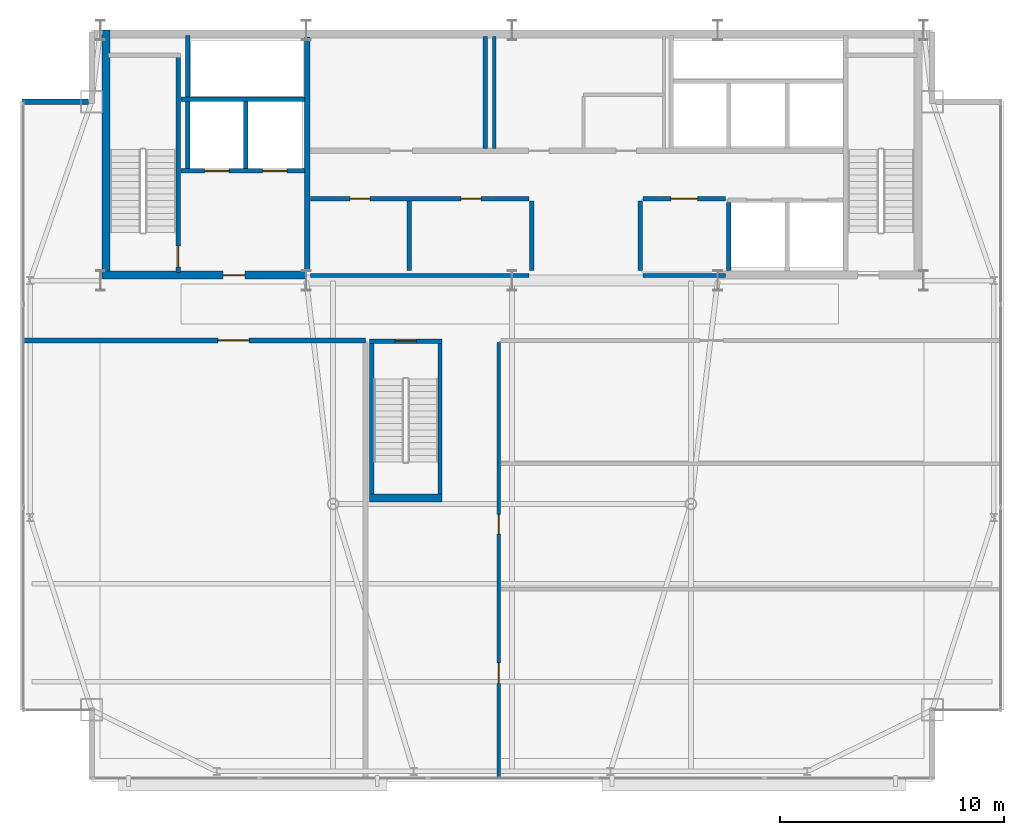
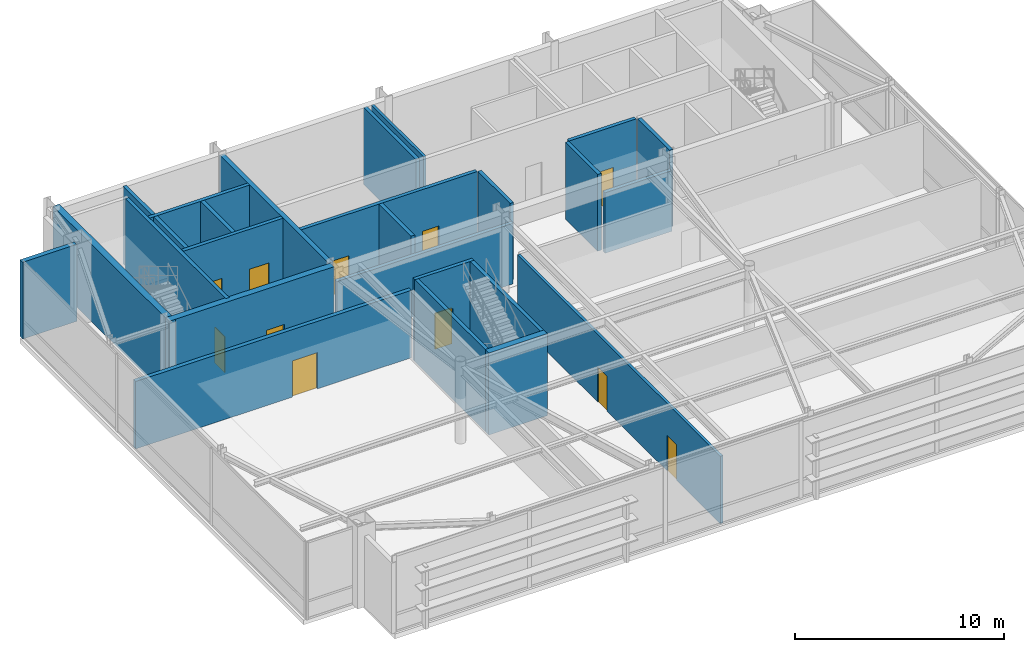
# One storey, part 18 of 21: 25 walls, 11 doors, 11 openings.
"""IFC4 building model written with IfcOpenShell, lengths in metres."""

import ifcopenshell
import ifcopenshell.guid

model = None  # the IFC model being written
_history = None  # IfcOwnerHistory: only IFC2X3 demands one
_inside = {}  # id of a spatial element -> (the spatial element, [elements in it])
_under = {}  # id of a project, library or spatial element -> (it, [spatial elements below it])
_declared = {}  # id of a project -> (the project, [libraries it declares])
_typed = {}  # id of a type object -> (the type object, [elements of that type])
_made_of = {}  # id of a material, layer set ... -> (it, [elements and type objects made of it])


def new_model(schema):
    """Start an empty IFC model of exactly this schema.

    Asked for "IFC4X3", IfcOpenShell would pick the latest addendum, in which some entities
    have other attributes; the version numbers below select the first issue.
    IFC2X3 requires an IfcOwnerHistory on every rooted entity: one is made here for all.
    """
    global model, _history
    if schema == "IFC4X3":
        model = ifcopenshell.file(schema_version=(4, 3, 0, 0))
    else:
        model = ifcopenshell.file(schema=schema)
    _inside.clear()
    _under.clear()
    _declared.clear()
    _typed.clear()
    _made_of.clear()
    _history = None
    if model.schema == "IFC2X3":
        org = make("IfcOrganization", Name="unknown")
        user = make(
            "IfcPersonAndOrganization",
            ThePerson=make("IfcPerson", FamilyName="unknown"),
            TheOrganization=org,
        )
        app = make(
            "IfcApplication",
            ApplicationDeveloper=org,
            Version="unknown",
            ApplicationFullName="unknown",
            ApplicationIdentifier="unknown",
        )
        _history = make(
            "IfcOwnerHistory",
            OwningUser=user,
            OwningApplication=app,
            ChangeAction="ADDED",
            CreationDate=0,
        )
    return model


def make(cls, **values):
    """One entity of the class cls with the attributes given. An attribute that is None is left unset."""
    return model.create_entity(
        cls, **{name: value for name, value in values.items() if value is not None}
    )


def rooted(cls, **values):
    """An entity with a GlobalId (a new one), such as an element, a storey or a relation."""
    return make(cls, GlobalId=ifcopenshell.guid.new(), OwnerHistory=_history, **values)


def si_unit(unit_type, name, prefix=None):
    """IfcSIUnit, for example si_unit("LENGTHUNIT", "METRE", prefix="MILLI")."""
    return make("IfcSIUnit", UnitType=unit_type, Prefix=prefix, Name=name)


def assignment(units):
    """IfcUnitAssignment: the units of a project."""
    return None if units is None else make("IfcUnitAssignment", Units=units)


def point(xyz):
    """IfcCartesianPoint."""
    return None if xyz is None else make("IfcCartesianPoint", Coordinates=xyz)


def direction(xyz):
    """IfcDirection."""
    return None if xyz is None else make("IfcDirection", DirectionRatios=xyz)


def frame(location, z_axis=None, x_axis=None):
    """IfcAxis2Placement3D, a coordinate frame: its origin and axes. An axis left out is left unset."""
    return make(
        "IfcAxis2Placement3D",
        Location=point(location),
        Axis=direction(z_axis),
        RefDirection=direction(x_axis),
    )


def frame_2d(location, x_axis=None):
    """IfcAxis2Placement2D, a coordinate frame in the plane: its origin and x axis."""
    return make(
        "IfcAxis2Placement2D", Location=point(location), RefDirection=direction(x_axis)
    )


def origin():
    """The frame at (0, 0, 0) with its axes left unset."""
    return frame((0.0, 0.0, 0.0))


def place(relative_to, where):
    """IfcLocalPlacement: puts the frame where relative to a parent placement (None: the world)."""
    return make(
        "IfcLocalPlacement", PlacementRelTo=relative_to, RelativePlacement=where
    )


def context(
    kind, dimensions, precision=None, world=None, true_north=None, identifier=None
):
    """IfcGeometricRepresentationContext, for example the 3D "Model" context."""
    return make(
        "IfcGeometricRepresentationContext",
        ContextIdentifier=identifier,
        ContextType=kind,
        CoordinateSpaceDimension=dimensions,
        Precision=precision,
        WorldCoordinateSystem=world,
        TrueNorth=true_north,
    )


def subcontext(parent, identifier, kind, view, scale=None):
    """IfcGeometricRepresentationSubContext, for example "Body" below "Model"."""
    return make(
        "IfcGeometricRepresentationSubContext",
        ContextIdentifier=identifier,
        ContextType=kind,
        ParentContext=parent,
        TargetScale=scale,
        TargetView=view,
    )


def project(units=None, contexts=None):
    """IfcProject with its units and contexts."""
    return rooted(
        "IfcProject",
        Name="project",
        RepresentationContexts=contexts,
        UnitsInContext=assignment(units),
    )


def spatial(cls, under=None, at=None, **own):
    """A site, building, storey or space (cls), placed at a placement, below another one or the project."""
    s = rooted(cls, ObjectPlacement=at, **own)
    if under is not None:
        _under.setdefault(under.id(), (under, []))[1].append(s)
    return s


def profile(cls, at=None, kind="AREA", **sizes):
    """A parametric profile (cls). Its sizes go by their IFC names, for example OverallWidth=200.0."""
    return make(cls, ProfileType=kind, Position=at, **sizes)


def rectangle(**sizes):
    """IfcRectangleProfileDef."""
    return profile("IfcRectangleProfileDef", **sizes)


def extrude(swept, where, along, depth):
    """IfcExtrudedAreaSolid: the profile swept, set in the frame where, extruded along a direction by depth."""
    return make(
        "IfcExtrudedAreaSolid",
        SweptArea=swept,
        Position=where,
        ExtrudedDirection=direction(along),
        Depth=depth,
    )


def shape(context_of_items, identifier, shape_type, items):
    """IfcShapeRepresentation: the items that make up one representation, for example the "Body"."""
    return make(
        "IfcShapeRepresentation",
        ContextOfItems=context_of_items,
        RepresentationIdentifier=identifier,
        RepresentationType=shape_type,
        Items=items,
    )


def source(mapping_origin, context_of_items, identifier, shape_type, items):
    """IfcRepresentationMap: a shape defined once, which mapped items show again and again."""
    return make(
        "IfcRepresentationMap",
        MappingOrigin=mapping_origin,
        MappedRepresentation=shape(context_of_items, identifier, shape_type, items),
    )


def transform(
    local_origin,
    x_axis=None,
    y_axis=None,
    z_axis=None,
    scale=None,
    scale2=None,
    scale3=None,
    uniform=True,
):
    """IfcCartesianTransformationOperator3D, or its non-uniform kind. x_axis, y_axis, z_axis: its Axis1, 2, 3."""
    if uniform:
        return make(
            "IfcCartesianTransformationOperator3D",
            Axis1=direction(x_axis),
            Axis2=direction(y_axis),
            LocalOrigin=point(local_origin),
            Scale=scale,
            Axis3=direction(z_axis),
        )
    return make(
        "IfcCartesianTransformationOperator3DnonUniform",
        Axis1=direction(x_axis),
        Axis2=direction(y_axis),
        LocalOrigin=point(local_origin),
        Scale=scale,
        Axis3=direction(z_axis),
        Scale2=scale2,
        Scale3=scale3,
    )


def mapped(mapping_source, mapping_target):
    """IfcMappedItem: shows the shape of a source again, moved by a transform."""
    return make(
        "IfcMappedItem", MappingSource=mapping_source, MappingTarget=mapping_target
    )


def material(Name=None, Category=None):
    """IfcMaterial."""
    return make("IfcMaterial", Name=Name, Category=Category)


def layer(
    of_material, thickness, ventilated=None, Name=None, Category=None, Priority=None
):
    """IfcMaterialLayer: one layer of a wall or slab, of a material (None: an air gap)."""
    return make(
        "IfcMaterialLayer",
        Material=of_material,
        LayerThickness=thickness,
        IsVentilated=ventilated,
        Name=Name,
        Category=Category,
        Priority=Priority,
    )


def layer_set(layers, Name=None):
    """IfcMaterialLayerSet."""
    return make("IfcMaterialLayerSet", MaterialLayers=layers, LayerSetName=Name)


def made_of(thing, what):
    """Note that an element or type object is made of a material, layer set ...; save() writes the relation."""
    if what is not None:
        _made_of.setdefault(what.id(), (what, []))[1].append(thing)
    return thing


def type_object(cls, material=None, **own):
    """A type object (cls), such as IfcWallType, which elements share."""
    return made_of(rooted(cls, **own), material)


def type_shapes(of_type, sources):
    """Give a type object the sources (RepresentationMaps) that its elements show as mapped items."""
    of_type.RepresentationMaps = sources


def element(
    cls,
    number,
    at=None,
    inside=None,
    cuts=None,
    type_object=None,
    material=None,
    context=None,
    identifier="Body",
    shape_type=None,
    held_by="IfcProductDefinitionShape",
    body=None,
    shapes=None,
    **own,
):
    """One element of the class cls, such as IfcWall. Its Tag is "e" and its number.

    at: its placement. inside: the storey or other place that contains it. cuts: it is an
    opening in that element (IfcRelVoidsElement). A single representation is given by context,
    identifier, shape_type and body (its items); several are given by shapes. held_by: the class
    of the entity that holds the representations. save() writes the other relations.
    """
    e = rooted(cls, Tag="e%d" % number, ObjectPlacement=at, **own)
    if body is not None:
        shapes = [shape(context, identifier, shape_type, body)]
    if shapes is not None:
        e.Representation = make(held_by, Representations=shapes)
    if inside is not None:
        _inside.setdefault(inside.id(), (inside, []))[1].append(e)
    if cuts is not None:
        rooted(
            "IfcRelVoidsElement", RelatingBuildingElement=cuts, RelatedOpeningElement=e
        )
    if type_object is not None:
        _typed.setdefault(type_object.id(), (type_object, []))[1].append(e)
    return made_of(e, material)


def fill(opening, filler):
    """IfcRelFillsElement: the door or window that sits in an opening."""
    return rooted(
        "IfcRelFillsElement",
        RelatingOpeningElement=opening,
        RelatedBuildingElement=filler,
    )


def aggregate(whole, parts):
    """IfcRelAggregates: a whole, such as a stair, and the parts it consists of."""
    return rooted("IfcRelAggregates", RelatingObject=whole, RelatedObjects=parts)


def save(model, path):
    """Write the relations noted so far, then the file.

    IfcRelAggregates (storeys below a building ...), IfcRelContainedInSpatialStructure (elements
    in a storey), IfcRelDefinesByType, IfcRelAssociatesMaterial and IfcRelDeclares: one each for
    every whole, place, type object, material and project.
    """
    for whole, parts in _under.values():
        aggregate(whole, parts)
    for where, things in _inside.values():
        rooted(
            "IfcRelContainedInSpatialStructure",
            RelatedElements=things,
            RelatingStructure=where,
        )
    for kind, things in _typed.values():
        rooted("IfcRelDefinesByType", RelatedObjects=things, RelatingType=kind)
    for what, things in _made_of.values():
        rooted("IfcRelAssociatesMaterial", RelatedObjects=things, RelatingMaterial=what)
    for by, libraries in _declared.values():
        rooted("IfcRelDeclares", RelatingContext=by, RelatedDefinitions=libraries)
    model.write(path)


model = new_model("IFC4")

# Units and contexts
model_context = context("Model", 3, precision=1e-05, world=origin(), true_north=direction((0.0, 1.0)))
body_context = subcontext(model_context, "Body", "Model", "MODEL_VIEW")
ifc_project = project(units=[si_unit("LENGTHUNIT", "METRE"), si_unit("AREAUNIT", "SQUARE_METRE"), si_unit("VOLUMEUNIT", "CUBIC_METRE"), si_unit("PLANEANGLEUNIT", "RADIAN"), si_unit("MASSUNIT", "GRAM", prefix="KILO")], contexts=[model_context])

# Site, building, storey
site_placement = place(None, origin())
site = spatial("IfcSite", under=ifc_project, at=site_placement, CompositionType="ELEMENT")
building_placement = place(site_placement, origin())
building = spatial("IfcBuilding", under=site, at=building_placement, Name="Varnel Quay Broadcast Tower", CompositionType="ELEMENT")
storey_placement = place(building_placement, frame((0.0, 0.0, 300.199951171875)))
storey = spatial("IfcBuildingStorey", under=building, at=storey_placement, Name="L75", CompositionType="ELEMENT", Elevation=300.199951171875)

# Wall, opening, door
ifc_material_1 = material(Name="Concrete CSA A23.3 C50/60", Category="concrete")
ifc_layer_1 = layer(ifc_material_1, 0.199951171875, Name="Concrete CSA A23.3 C50/60")
ifc_layer_set_1 = layer_set([ifc_layer_1], Name="Concrete CSA A23.3 C50/60")
wall_type_1 = type_object("IfcWallType", Name="Wall_CoreShaftShear200", PredefinedType="SHEAR", material=ifc_layer_set_1)
wall_1_placement = place(storey_placement, frame((19.080078125, 35.949951171875, 0.0), z_axis=(0.0, 0.0, 1.0), x_axis=(0.0, 1.0, 0.0)))
wall_1 = element("IfcWall", 1, at=wall_1_placement, inside=storey, type_object=wall_type_1, Name="L75 Stair 1 East Structural Wall", PredefinedType="SHEAR", context=body_context, shape_type="SweptSolid", body=[
    extrude(rectangle(XDim=9.650146484375, YDim=0.199951171875, at=frame_2d((4.8251953125, 0.0))), origin(), (0.0, 0.0, 1.0), 4.52001953125),
])
opening_1_placement = place(wall_1_placement, frame((0.25, 0.0, 0.0)))
opening_1 = element("IfcOpeningElement", 2, at=opening_1_placement, cuts=wall_1, Name="Opening D-L75-S1", PredefinedType="OPENING", context=body_context, shape_type="SweptSolid", body=[
    extrude(rectangle(XDim=0.949951171875, YDim=2.10009765625, at=frame_2d((0.47509765625, 1.050048828125))), frame((0.0, 0.10986328125, 0.0), z_axis=(0.0, -1.0, 0.0), x_axis=(1.0, 0.0, 0.0)), (0.0, 0.0, 1.0), 0.219970703125),
])
ifc_material_2 = material(Name="Insulated Fire-Rated Hollow Steel Door", Category="steel")
door_type_1 = type_object("IfcDoorType", Name="Door_FireStair950", OperationType="NOTDEFINED", PredefinedType="DOOR", material=ifc_material_2)
shared_shape_1 = source(origin(), body_context, "Body", "SweptSolid", [
    extrude(rectangle(XDim=0.949951171875, YDim=2.10009765625, at=frame_2d((0.47509765625, 1.050048828125))), frame((0.0, 0.02490234375, 0.0), z_axis=(0.0, -1.0, 0.0), x_axis=(1.0, 0.0, 0.0)), (0.0, 0.0, 1.0), 0.050048828125),
])
type_shapes(door_type_1, [shared_shape_1])
door_1_placement = place(opening_1_placement, origin())
door_1 = element("IfcDoor", 3, at=door_1_placement, inside=storey, type_object=door_type_1, Name="L75 Stair 1 Fire Door", OperationType="SINGLE_SWING_RIGHT", OverallHeight=2.10009765625, OverallWidth=0.949951171875, PredefinedType="DOOR", context=body_context, shape_type="MappedRepresentation", body=[
    mapped(shared_shape_1, transform((0.0, 0.0, 0.0), x_axis=(1.0, 0.0, 0.0), y_axis=(0.0, 1.0, 0.0), z_axis=(0.0, 0.0, 1.0), scale=1.0)),
])
fill(opening_1, door_1)

# Wall, openings, doors
wall_2_placement = place(storey_placement, frame((19.199951171875, 40.5, 0.0), z_axis=(0.0, 0.0, 1.0), x_axis=(1.0, 0.0, 0.0)))
wall_2 = element("IfcWall", 4, at=wall_2_placement, inside=storey, type_object=wall_type_1, Name="L75 Firefighter Lift Shaft Front Wall", PredefinedType="SHEAR", context=body_context, shape_type="SweptSolid", body=[
    extrude(rectangle(XDim=5.52001953125, YDim=0.199951171875, at=frame_2d((2.760009765625, 0.0))), origin(), (0.0, 0.0, 1.0), 4.52001953125),
])
opening_2_placement = place(wall_2_placement, frame((1.050048828125, 0.0, 0.0)))
opening_2 = element("IfcOpeningElement", 5, at=opening_2_placement, cuts=wall_2, Name="Opening LD-L75-FE1", PredefinedType="OPENING", context=body_context, shape_type="SweptSolid", body=[
    extrude(rectangle(XDim=1.10009765625, YDim=2.179931640625, at=frame_2d((0.550048828125, 1.08984375))), frame((0.0, 0.10986328125, 0.0), z_axis=(0.0, -1.0, 0.0), x_axis=(1.0, 0.0, 0.0)), (0.0, 0.0, 1.0), 0.219970703125),
])
opening_3_placement = place(wall_2_placement, frame((3.64990234375, 0.0, 0.0)))
opening_3 = element("IfcOpeningElement", 6, at=opening_3_placement, cuts=wall_2, Name="Opening LD-L75-FE2", PredefinedType="OPENING", context=body_context, shape_type="SweptSolid", body=[
    extrude(rectangle(XDim=1.10009765625, YDim=2.179931640625, at=frame_2d((0.550048828125, 1.08984375))), frame((0.0, 0.10986328125, 0.0), z_axis=(0.0, -1.0, 0.0), x_axis=(1.0, 0.0, 0.0)), (0.0, 0.0, 1.0), 0.219970703125),
])
ifc_material_3 = material(Name="Brushed Bronze-Stainless Lift Car & Sliding Doors", Category="steel")
door_type_2 = type_object("IfcDoorType", Name="Door_LiftLanding1100", OperationType="SLIDING_TO_LEFT", PredefinedType="DOOR", material=ifc_material_3)
shared_shape_2 = source(origin(), body_context, "Body", "SweptSolid", [
    extrude(rectangle(XDim=1.10009765625, YDim=2.179931640625, at=frame_2d((0.550048828125, 1.08984375))), frame((0.0, 0.02490234375, 0.0), z_axis=(0.0, -1.0, 0.0), x_axis=(1.0, 0.0, 0.0)), (0.0, 0.0, 1.0), 0.050048828125),
])
type_shapes(door_type_2, [shared_shape_2])
door_2_placement = place(opening_2_placement, frame((1.10009765625, 0.0, 0.0), z_axis=(0.0, 0.0, 1.0), x_axis=(-1.0, 0.0, 0.0)))
door_2 = element("IfcDoor", 7, at=door_2_placement, inside=storey, type_object=door_type_2, Name="L75 Firefighter Lift FE-01 Landing Door", OperationType="SLIDING_TO_LEFT", OverallHeight=2.179931640625, OverallWidth=1.10009765625, PredefinedType="DOOR", context=body_context, shape_type="MappedRepresentation", body=[
    mapped(shared_shape_2, transform((0.0, 0.0, 0.0), x_axis=(1.0, 0.0, 0.0), y_axis=(0.0, 1.0, 0.0), z_axis=(0.0, 0.0, 1.0), scale=1.0)),
])
fill(opening_2, door_2)
door_3_placement = place(opening_3_placement, frame((1.10009765625, 0.0, 0.0), z_axis=(0.0, 0.0, 1.0), x_axis=(-1.0, 0.0, 0.0)))
door_3 = element("IfcDoor", 8, at=door_3_placement, inside=storey, type_object=door_type_2, Name="L75 Firefighter Lift FE-02 Landing Door", OperationType="SLIDING_TO_RIGHT", OverallHeight=2.179931640625, OverallWidth=1.10009765625, PredefinedType="DOOR", context=body_context, shape_type="MappedRepresentation", body=[
    mapped(shared_shape_2, transform((0.0, 0.0, 0.0), x_axis=(1.0, 0.0, 0.0), y_axis=(0.0, 1.0, 0.0), z_axis=(0.0, 0.0, 1.0), scale=1.0)),
])
fill(opening_3, door_3)

# Walls
wall_3_placement = place(storey_placement, frame((19.199951171875, 43.699951171875, 0.0), z_axis=(0.0, 0.0, 1.0), x_axis=(1.0, 0.0, 0.0)))
element("IfcWall", 9, at=wall_3_placement, inside=storey, type_object=wall_type_1, Name="L75 Firefighter Lift Shaft Rear Wall", PredefinedType="SHEAR", context=body_context, shape_type="SweptSolid", body=[
    extrude(rectangle(XDim=5.52001953125, YDim=0.199951171875, at=frame_2d((2.760009765625, 0.0))), origin(), (0.0, 0.0, 1.0), 4.52001953125),
])
wall_4_placement = place(storey_placement, frame((22.10009765625, 40.60009765625, 0.0), z_axis=(0.0, 0.0, 1.0), x_axis=(0.0, 1.0, 0.0)))
element("IfcWall", 10, at=wall_4_placement, inside=storey, type_object=wall_type_1, Name="L75 Firefighter Lift Shaft Divider", PredefinedType="SHEAR", context=body_context, shape_type="SweptSolid", body=[
    extrude(rectangle(XDim=3.0, YDim=0.199951171875, at=frame_2d((1.5, 0.0))), origin(), (0.0, 0.0, 1.0), 4.52001953125),
])
wall_5_placement = place(storey_placement, frame((19.5, 40.60009765625, 0.0), z_axis=(0.0, 0.0, 1.0), x_axis=(0.0, 1.0, 0.0)))
element("IfcWall", 11, at=wall_5_placement, inside=storey, type_object=wall_type_1, Name="L75 Firefighter Lift Shaft West Wall", PredefinedType="SHEAR", context=body_context, shape_type="SweptSolid", body=[
    extrude(rectangle(XDim=5.949951171875, YDim=0.199951171875, at=frame_2d((2.97509765625, 0.0))), origin(), (0.0, 0.0, 1.0), 4.52001953125),
])
wall_6_placement = place(storey_placement, frame((43.699951171875, 36.050048828125, 0.0), z_axis=(0.0, 0.0, 1.0), x_axis=(0.0, 1.0, 0.0)))
element("IfcWall", 12, at=wall_6_placement, inside=storey, type_object=wall_type_1, Name="L75 Express Lift Shaft West Wall", PredefinedType="SHEAR", context=body_context, shape_type="SweptSolid", body=[
    extrude(rectangle(XDim=3.050048828125, YDim=0.199951171875, at=frame_2d((1.52490234375, 0.0))), origin(), (0.0, 0.0, 1.0), 4.52001953125),
])
for number, where, z_axis, x_axis, name in (
    (13, (27.719970703125, 26.0, -0.280029296875), (0.0, 0.0, 1.0), (0.0, 1.0, 0.0), "L75 Observation Stair 4 W Structural Wall"),
    (14, (30.780029296875, 26.0, -0.280029296875), (0.0, 0.0, 1.0), (0.0, 1.0, 0.0), "L75 Observation Stair 4 E Structural Wall"),
):
    element("IfcWall", number, at=place(storey_placement, frame(where, z_axis=z_axis, x_axis=x_axis)), inside=storey, type_object=wall_type_1, Name=name, PredefinedType="SHEAR", context=body_context, shape_type="SweptSolid", body=[
        extrude(rectangle(XDim=6.800048828125, YDim=0.199951171875, at=frame_2d((3.39990234375, 0.0))), origin(), (0.0, 0.0, 1.0), 4.800048828125),
    ])

# Wall, opening, door
wall_7_placement = place(storey_placement, frame((27.6201171875, 32.8798828125, -0.280029296875), z_axis=(0.0, 0.0, 1.0), x_axis=(1.0, 0.0, 0.0)))
wall_7 = element("IfcWall", 15, at=wall_7_placement, inside=storey, type_object=wall_type_1, Name="L75 Observation Stair 4 North Structural Wall", PredefinedType="SHEAR", context=body_context, shape_type="SweptSolid", body=[
    extrude(rectangle(XDim=3.259765625, YDim=0.199951171875, at=frame_2d((1.6298828125, 0.0))), origin(), (0.0, 0.0, 1.0), 4.800048828125),
])
opening_4_placement = place(wall_7_placement, frame((1.14990234375, 0.0, 0.280029296875)))
opening_4 = element("IfcOpeningElement", 16, at=opening_4_placement, cuts=wall_7, Name="Opening D-L75-S4", PredefinedType="OPENING", context=body_context, shape_type="SweptSolid", body=[
    extrude(rectangle(XDim=0.949951171875, YDim=2.10009765625, at=frame_2d((0.47509765625, 1.050048828125))), frame((0.0, 0.10986328125, 0.0), z_axis=(0.0, -1.0, 0.0), x_axis=(1.0, 0.0, 0.0)), (0.0, 0.0, 1.0), 0.219970703125),
])
door_4_placement = place(opening_4_placement, frame((0.949951171875, 0.0, 0.0), z_axis=(0.0, 0.0, 1.0), x_axis=(-1.0, 0.0, 0.0)))
door_4 = element("IfcDoor", 17, at=door_4_placement, inside=storey, type_object=door_type_1, Name="L75 Observation Stair 4 Door", OperationType="SINGLE_SWING_RIGHT", OverallHeight=2.10009765625, OverallWidth=0.949951171875, PredefinedType="DOOR", context=body_context, shape_type="MappedRepresentation", body=[
    mapped(shared_shape_1, transform((0.0, 0.0, 0.0), x_axis=(1.0, 0.0, 0.0), y_axis=(0.0, 1.0, 0.0), z_axis=(0.0, 0.0, 1.0), scale=1.0)),
])
fill(opening_4, door_4)

# Walls
ifc_layer_2 = layer(ifc_material_1, 0.25, Name="Concrete CSA A23.3 C50/60")
ifc_layer_set_2 = layer_set([ifc_layer_2], Name="Concrete CSA A23.3 C50/60")
wall_type_2 = type_object("IfcWallType", Name="Wall_CoreShaftShear250", PredefinedType="SHEAR", material=ifc_layer_set_2)
wall_8_placement = place(storey_placement, frame((24.85009765625, 36.050048828125, 0.0), z_axis=(0.0, 0.0, 1.0), x_axis=(0.0, 1.0, 0.0)))
element("IfcWall", 18, at=wall_8_placement, inside=storey, type_object=wall_type_2, Name="L75 Firefighting Lobby East Structural Wall", PredefinedType="SHEAR", context=body_context, shape_type="SweptSolid", body=[
    extrude(rectangle(XDim=10.449951171875, YDim=0.25, at=frame_2d((5.22509765625, 0.0))), origin(), (0.0, 0.0, 1.0), 4.52001953125),
])
ifc_layer_3 = layer(ifc_material_1, 0.35009765625, Name="Concrete CSA A23.3 C50/60")
ifc_layer_set_3 = layer_set([ifc_layer_3], Name="Concrete CSA A23.3 C50/60")
wall_type_3 = type_object("IfcWallType", Name="Wall_CoreShearInt350", PredefinedType="SHEAR", material=ifc_layer_set_3)
wall_9_placement = place(storey_placement, frame((15.844970703125, 35.669921875, 0.0), z_axis=(0.0, 0.0, 1.0), x_axis=(0.0, 1.0, 0.0)))
element("IfcWall", 19, at=wall_9_placement, inside=storey, type_object=wall_type_3, Name="L75 West Core Shear Wall", PredefinedType="SHEAR", context=body_context, shape_type="SweptSolid", body=[
    extrude(rectangle(XDim=11.130126953125, YDim=0.35009765625, at=frame_2d((5.56494140625, 0.0))), origin(), (0.0, 0.0, 1.0), 4.52001953125),
])

# Wall, opening, door
wall_10_placement = place(storey_placement, frame((15.669921875, 35.844970703125, 0.0), z_axis=(0.0, 0.0, 1.0), x_axis=(1.0, 0.0, 0.0)))
wall_10 = element("IfcWall", 20, at=wall_10_placement, inside=storey, type_object=wall_type_3, Name="L75 South-West Core Shear Wall", PredefinedType="SHEAR", context=body_context, shape_type="SweptSolid", body=[
    extrude(rectangle(XDim=9.130126953125, YDim=0.35009765625, at=frame_2d((4.56494140625, 0.0))), origin(), (0.0, 0.0, 1.0), 4.52001953125),
])
opening_5_placement = place(wall_10_placement, frame((5.39990234375, 0.0, 0.0)))
opening_5 = element("IfcOpeningElement", 21, at=opening_5_placement, cuts=wall_10, Name="Opening D-L75-FFL", PredefinedType="OPENING", context=body_context, shape_type="SweptSolid", body=[
    extrude(rectangle(XDim=1.0, YDim=2.10009765625, at=frame_2d((0.5, 1.050048828125))), frame((0.0, 0.18505859375, 0.0), z_axis=(0.0, -1.0, 0.0), x_axis=(1.0, 0.0, 0.0)), (0.0, 0.0, 1.0), 0.3701171875),
])
door_type_3 = type_object("IfcDoorType", Name="Door_FireLobby1000", OperationType="NOTDEFINED", PredefinedType="DOOR", material=ifc_material_2)
shared_shape_3 = source(origin(), body_context, "Body", "SweptSolid", [
    extrude(rectangle(XDim=1.0, YDim=2.10009765625, at=frame_2d((0.5, 1.050048828125))), frame((0.0, 0.02490234375, 0.0), z_axis=(0.0, -1.0, 0.0), x_axis=(1.0, 0.0, 0.0)), (0.0, 0.0, 1.0), 0.050048828125),
])
type_shapes(door_type_3, [shared_shape_3])
door_5_placement = place(opening_5_placement, origin())
door_5 = element("IfcDoor", 22, at=door_5_placement, inside=storey, type_object=door_type_3, Name="L75 Firefighting Lobby Door", OperationType="SINGLE_SWING_LEFT", OverallHeight=2.10009765625, OverallWidth=1.0, PredefinedType="DOOR", context=body_context, shape_type="MappedRepresentation", body=[
    mapped(shared_shape_3, transform((0.0, 0.0, 0.0), x_axis=(1.0, 0.0, 0.0), y_axis=(0.0, 1.0, 0.0), z_axis=(0.0, 0.0, 1.0), scale=1.0)),
])
fill(opening_5, door_5)

# Walls
wall_11_placement = place(storey_placement, frame((27.6201171875, 25.8798828125, -0.280029296875), z_axis=(0.0, 0.0, 1.0), x_axis=(1.0, 0.0, 0.0)))
element("IfcWall", 23, at=wall_11_placement, inside=storey, type_object=wall_type_3, Name="L75 Observation Stair 4 S Structural Wall", PredefinedType="SHEAR", context=body_context, shape_type="SweptSolid", body=[
    extrude(rectangle(XDim=3.259765625, YDim=0.35009765625, at=frame_2d((1.6298828125, 0.0))), origin(), (0.0, 0.0, 1.0), 4.800048828125),
])
ifc_material_4 = material(Name="Precast Architectural Concrete C40/50", Category="concrete")
ifc_layer_4 = layer(ifc_material_4, 0.25, Name="Precast Architectural Concrete C40/50")
ifc_layer_set_4 = layer_set([ifc_layer_4], Name="Precast Architectural Concrete C40/50")
wall_type_4 = type_object("IfcWallType", Name="Wall_ExtTerrace250", PredefinedType="SOLIDWALL", material=ifc_layer_set_4)
wall_12_placement = place(storey_placement, frame((12.080078125, 43.60009765625, 0.0), z_axis=(0.0, 0.0, 1.0), x_axis=(1.0, 0.0, 0.0)))
element("IfcWall", 24, at=wall_12_placement, inside=storey, type_object=wall_type_4, Name="L75 Mega-Column Notch Cladding Wall NNW1", PredefinedType="SOLIDWALL", context=body_context, shape_type="SweptSolid", body=[
    extrude(rectangle(XDim=2.989990234375, YDim=0.25, at=frame_2d((1.4951171875, 0.0))), origin(), (0.0, 0.0, 1.0), 4.5),
])
ifc_material_5 = material(Name="Concrete Blockwork Fire Enclosure C40/50", Category="masonry")
ifc_layer_5 = layer(ifc_material_5, 0.199951171875, Name="Concrete Blockwork Fire Enclosure C40/50")
ifc_layer_set_5 = layer_set([ifc_layer_5], Name="Concrete Blockwork Fire Enclosure C40/50")
wall_type_5 = type_object("IfcWallType", Name="Wall_FireShaft200", PredefinedType="SOLIDWALL", material=ifc_layer_set_5)
wall_13_placement = place(storey_placement, frame((39.85009765625, 35.824951171875, 0.0), z_axis=(0.0, 0.0, 1.0), x_axis=(1.0, 0.0, 0.0)))
element("IfcWall", 25, at=wall_13_placement, inside=storey, type_object=wall_type_5, Name="L75 Electrical Sub-Distribution Closet Partition 5", PredefinedType="SOLIDWALL", context=body_context, shape_type="SweptSolid", body=[
    extrude(rectangle(XDim=3.699951171875, YDim=0.199951171875, at=frame_2d((1.85009765625, 0.0))), origin(), (0.0, 0.0, 1.0), 3.545166015625),
])

# Wall, opening, door
wall_14_placement = place(storey_placement, frame((39.85009765625, 39.25, 0.0), z_axis=(0.0, 0.0, 1.0), x_axis=(1.0, 0.0, 0.0)))
wall_14 = element("IfcWall", 26, at=wall_14_placement, inside=storey, type_object=wall_type_5, Name="L75 Electrical Sub-Distribution Closet Partition 6", PredefinedType="SOLIDWALL", context=body_context, shape_type="SweptSolid", body=[
    extrude(rectangle(XDim=3.699951171875, YDim=0.199951171875, at=frame_2d((1.85009765625, 0.0))), origin(), (0.0, 0.0, 1.0), 4.5),
])
opening_6_placement = place(wall_14_placement, frame((1.25, 0.0, 0.0)))
opening_6 = element("IfcOpeningElement", 27, at=opening_6_placement, cuts=wall_14, Name="Opening D-L75-03", PredefinedType="OPENING", context=body_context, shape_type="SweptSolid", body=[
    extrude(rectangle(XDim=1.199951171875, YDim=2.10009765625, at=frame_2d((0.60009765625, 1.050048828125))), frame((0.0, 0.10986328125, 0.0), z_axis=(0.0, -1.0, 0.0), x_axis=(1.0, 0.0, 0.0)), (0.0, 0.0, 1.0), 0.219970703125),
])
door_type_4 = type_object("IfcDoorType", Name="Door_Plant1200", OperationType="NOTDEFINED", PredefinedType="DOOR", material=ifc_material_2)
shared_shape_4 = source(origin(), body_context, "Body", "SweptSolid", [
    extrude(rectangle(XDim=1.199951171875, YDim=2.10009765625, at=frame_2d((0.60009765625, 1.050048828125))), frame((0.0, 0.02490234375, 0.0), z_axis=(0.0, -1.0, 0.0), x_axis=(1.0, 0.0, 0.0)), (0.0, 0.0, 1.0), 0.050048828125),
])
type_shapes(door_type_4, [shared_shape_4])
door_6_placement = place(opening_6_placement, origin())
door_6 = element("IfcDoor", 28, at=door_6_placement, inside=storey, type_object=door_type_4, Name="L75 Electrical Sub-Distribution Closet Door D-L75-03", OperationType="SINGLE_SWING_LEFT", OverallHeight=2.10009765625, OverallWidth=1.199951171875, PredefinedType="DOOR", context=body_context, shape_type="MappedRepresentation", body=[
    mapped(shared_shape_4, transform((0.0, 0.0, 0.0), x_axis=(1.0, 0.0, 0.0), y_axis=(0.0, 1.0, 0.0), z_axis=(0.0, 0.0, 1.0), scale=1.0)),
])
fill(opening_6, door_6)

# Walls
wall_15_placement = place(storey_placement, frame((39.72509765625, 36.050048828125, 0.0), z_axis=(0.0, 0.0, 1.0), x_axis=(0.0, 1.0, 0.0)))
element("IfcWall", 29, at=wall_15_placement, inside=storey, type_object=wall_type_5, Name="L75 Electrical Sub-Distribution Closet Partition 7", PredefinedType="SOLIDWALL", context=body_context, shape_type="SweptSolid", body=[
    extrude(rectangle(XDim=3.099853515625, YDim=0.199951171875, at=frame_2d((1.5498046875, 0.0))), origin(), (0.0, 0.0, 1.0), 4.5),
])
wall_16_placement = place(storey_placement, frame((32.800048828125, 41.5, 0.0), z_axis=(0.0, 0.0, 1.0), x_axis=(0.0, 1.0, 0.0)))
element("IfcWall", 30, at=wall_16_placement, inside=storey, type_object=wall_type_5, Name="L75 Broadcast Ingest Server Hall Partition 14", PredefinedType="SOLIDWALL", context=body_context, shape_type="SweptSolid", body=[
    extrude(rectangle(XDim=5.02001953125, YDim=0.199951171875, at=frame_2d((2.510009765625, 0.0))), origin(), (0.0, 0.0, 1.0), 4.5),
])

# Wall, openings, doors
ifc_material_6 = material(Name="Steel-Stud Fire-Rated Acoustic Gypsum Partition Assembly", Category="steel")
ifc_layer_6 = layer(ifc_material_6, 0.14990234375, Name="Steel-Stud Fire-Rated Acoustic Gypsum Partition Assembly")
ifc_layer_set_6 = layer_set([ifc_layer_6], Name="Steel-Stud Fire-Rated Acoustic Gypsum Partition Assembly")
wall_type_6 = type_object("IfcWallType", Name="Wall_Partition150", PredefinedType="PARTITIONING", material=ifc_layer_set_6)
wall_17_placement = place(storey_placement, frame((33.39990234375, 13.3798828125, 0.0), z_axis=(0.0, 0.0, 1.0), x_axis=(0.0, 1.0, 0.0)))
wall_17 = element("IfcWall", 31, at=wall_17_placement, inside=storey, type_object=wall_type_6, Name="L75 Broadcast History Exhibition Hall Partition 11", PredefinedType="PARTITIONING", context=body_context, shape_type="SweptSolid", body=[
    extrude(rectangle(XDim=19.45703125, YDim=0.14990234375, at=frame_2d((9.728515625, 0.0))), origin(), (0.0, 0.0, 1.0), 3.950927734375),
])
opening_7_placement = place(wall_17_placement, frame((4.205078125, 0.0, 0.0)))
opening_7 = element("IfcOpeningElement", 32, at=opening_7_placement, cuts=wall_17, Name="Opening D-L75-05", PredefinedType="OPENING", context=body_context, shape_type="SweptSolid", body=[
    extrude(rectangle(XDim=0.919921875, YDim=2.080078125, at=frame_2d((0.4599609375, 1.0400390625))), frame((0.0, 0.0849609375, 0.0), z_axis=(0.0, -1.0, 0.0), x_axis=(1.0, 0.0, 0.0)), (0.0, 0.0, 1.0), 0.169921875),
])
opening_8_placement = place(wall_17_placement, frame((10.8798828125, 0.0, 0.0)))
opening_8 = element("IfcOpeningElement", 33, at=opening_8_placement, cuts=wall_17, Name="Opening D-L75-06", PredefinedType="OPENING", context=body_context, shape_type="SweptSolid", body=[
    extrude(rectangle(XDim=0.8798828125, YDim=2.06005859375, at=frame_2d((0.43994140625, 1.030029296875))), frame((0.0, 0.0849609375, 0.0), z_axis=(0.0, -1.0, 0.0), x_axis=(1.0, 0.0, 0.0)), (0.0, 0.0, 1.0), 0.169921875),
])
ifc_material_7 = material(Name="Solid-Core Fire-Rated Acoustic Oak Veneer Door", Category="wood")
door_type_5 = type_object("IfcDoorType", Name="Door_Booth880", OperationType="NOTDEFINED", PredefinedType="DOOR", material=ifc_material_7)
shared_shape_5 = source(origin(), body_context, "Body", "SweptSolid", [
    extrude(rectangle(XDim=0.8798828125, YDim=2.06005859375, at=frame_2d((0.43994140625, 1.030029296875))), frame((0.0, 0.02490234375, 0.0), z_axis=(0.0, -1.0, 0.0), x_axis=(1.0, 0.0, 0.0)), (0.0, 0.0, 1.0), 0.050048828125),
])
type_shapes(door_type_5, [shared_shape_5])
door_7_placement = place(opening_8_placement, frame((0.8798828125, 0.0, 0.0), z_axis=(0.0, 0.0, 1.0), x_axis=(-1.0, 0.0, 0.0)))
door_7 = element("IfcDoor", 34, at=door_7_placement, inside=storey, type_object=door_type_5, Name="L75 Sky Viewing Cafe & Servery Door D-L75-06", OperationType="SINGLE_SWING_LEFT", OverallHeight=2.06005859375, OverallWidth=0.8798828125, PredefinedType="DOOR", context=body_context, shape_type="MappedRepresentation", body=[
    mapped(shared_shape_5, transform((0.0, 0.0, 0.0), x_axis=(1.0, 0.0, 0.0), y_axis=(0.0, 1.0, 0.0), z_axis=(0.0, 0.0, 1.0), scale=1.0)),
])
fill(opening_8, door_7)
door_type_6 = type_object("IfcDoorType", Name="Door_Office920", OperationType="NOTDEFINED", PredefinedType="DOOR", material=ifc_material_7)
shared_shape_6 = source(origin(), body_context, "Body", "SweptSolid", [
    extrude(rectangle(XDim=0.919921875, YDim=2.080078125, at=frame_2d((0.4599609375, 1.0400390625))), frame((0.0, 0.02490234375, 0.0), z_axis=(0.0, -1.0, 0.0), x_axis=(1.0, 0.0, 0.0)), (0.0, 0.0, 1.0), 0.050048828125),
])
type_shapes(door_type_6, [shared_shape_6])
door_8_placement = place(opening_7_placement, frame((0.919921875, 0.0, 0.0), z_axis=(0.0, 0.0, 1.0), x_axis=(-1.0, 0.0, 0.0)))
door_8 = element("IfcDoor", 35, at=door_8_placement, inside=storey, type_object=door_type_6, Name="L75 Broadcast History Exhibition Hall Door D-L75-05", OperationType="SINGLE_SWING_RIGHT", OverallHeight=2.080078125, OverallWidth=0.919921875, PredefinedType="DOOR", context=body_context, shape_type="MappedRepresentation", body=[
    mapped(shared_shape_6, transform((0.0, 0.0, 0.0), x_axis=(1.0, 0.0, 0.0), y_axis=(0.0, 1.0, 0.0), z_axis=(0.0, 0.0, 1.0), scale=1.0)),
])
fill(opening_7, door_8)

# Wall
wall_18_placement = place(storey_placement, frame((33.199951171875, 41.5, 0.0), z_axis=(0.0, 0.0, 1.0), x_axis=(0.0, 1.0, 0.0)))
element("IfcWall", 36, at=wall_18_placement, inside=storey, type_object=wall_type_6, Name="L75 Acoustic Rack & Patch Suite Partition 18", PredefinedType="PARTITIONING", context=body_context, shape_type="SweptSolid", body=[
    extrude(rectangle(XDim=5.02001953125, YDim=0.14990234375, at=frame_2d((2.510009765625, 0.0))), origin(), (0.0, 0.0, 1.0), 4.5),
])

# Wall, opening, door
ifc_layer_7 = layer(ifc_material_6, 0.22509765625, Name="Steel-Stud Fire-Rated Acoustic Gypsum Partition Assembly")
ifc_layer_set_7 = layer_set([ifc_layer_7], Name="Steel-Stud Fire-Rated Acoustic Gypsum Partition Assembly")
wall_type_7 = type_object("IfcWallType", Name="Wall_Partition225", PredefinedType="PARTITIONING", material=ifc_layer_set_7)
wall_19_placement = place(storey_placement, frame((12.179931640625, 32.925048828125, 0.0), z_axis=(0.0, 0.0, 1.0), x_axis=(1.0, 0.0, 0.0)))
wall_19 = element("IfcWall", 37, at=wall_19_placement, inside=storey, type_object=wall_type_7, Name="L75 South Harbour Observation Gallery Partition 9", PredefinedType="PARTITIONING", context=body_context, shape_type="SweptSolid", body=[
    extrude(rectangle(XDim=15.27001953125, YDim=0.22509765625, at=frame_2d((7.635009765625, 0.0))), origin(), (0.0, 0.0, 1.0), 3.950927734375),
])
opening_9_placement = place(wall_19_placement, frame((8.669921875, 0.0, 0.0)))
opening_9 = element("IfcOpeningElement", 38, at=opening_9_placement, cuts=wall_19, Name="Opening D-L75-04", PredefinedType="OPENING", context=body_context, shape_type="SweptSolid", body=[
    extrude(rectangle(XDim=1.39990234375, YDim=2.1201171875, at=frame_2d((0.699951171875, 1.06005859375))), frame((0.0, 0.12255859375, 0.0), z_axis=(0.0, -1.0, 0.0), x_axis=(1.0, 0.0, 0.0)), (0.0, 0.0, 1.0), 0.2451171875),
])
door_type_7 = type_object("IfcDoorType", Name="Door_Gallery1400", OperationType="DOUBLE_DOOR_SINGLE_SWING", PredefinedType="DOOR", material=ifc_material_7)
shared_shape_7 = source(origin(), body_context, "Body", "SweptSolid", [
    extrude(rectangle(XDim=1.39990234375, YDim=2.1201171875, at=frame_2d((0.699951171875, 1.06005859375))), frame((0.0, 0.02490234375, 0.0), z_axis=(0.0, -1.0, 0.0), x_axis=(1.0, 0.0, 0.0)), (0.0, 0.0, 1.0), 0.050048828125),
])
type_shapes(door_type_7, [shared_shape_7])
door_9_placement = place(opening_9_placement, frame((1.39990234375, 0.0, 0.0), z_axis=(0.0, 0.0, 1.0), x_axis=(-1.0, 0.0, 0.0)))
door_9 = element("IfcDoor", 39, at=door_9_placement, inside=storey, type_object=door_type_7, Name="L75 South Harbour Observation Gallery Door D-L75-04", OperationType="DOUBLE_DOOR_SINGLE_SWING", OverallHeight=2.1201171875, OverallWidth=1.39990234375, PredefinedType="DOOR", context=body_context, shape_type="MappedRepresentation", body=[
    mapped(shared_shape_7, transform((0.0, 0.0, 0.0), x_axis=(1.0, 0.0, 0.0), y_axis=(0.0, 1.0, 0.0), z_axis=(0.0, 0.0, 1.0), scale=1.0)),
])
fill(opening_9, door_9)

# Walls
ifc_material_8 = material(Name="Fire-Rated Moisture-Resistant Plumbing Chase Partition")
ifc_layer_8 = layer(ifc_material_8, 0.199951171875, Name="Fire-Rated Moisture-Resistant Plumbing Chase Partition")
ifc_layer_set_8 = layer_set([ifc_layer_8], Name="Fire-Rated Moisture-Resistant Plumbing Chase Partition")
wall_type_8 = type_object("IfcWallType", Name="Wall_Plumbing200", PredefinedType="PLUMBINGWALL", material=ifc_layer_set_8)
wall_20_placement = place(storey_placement, frame((25.0, 35.824951171875, 0.0), z_axis=(0.0, 0.0, 1.0), x_axis=(1.0, 0.0, 0.0)))
element("IfcWall", 40, at=wall_20_placement, inside=storey, type_object=wall_type_8, Name="L75 Accessible Washroom Partition 1", PredefinedType="PLUMBINGWALL", context=body_context, shape_type="SweptSolid", body=[
    extrude(rectangle(XDim=9.75, YDim=0.199951171875, at=frame_2d((4.875, 0.0))), origin(), (0.0, 0.0, 1.0), 3.545166015625),
])
wall_21_placement = place(storey_placement, frame((29.39990234375, 36.050048828125, 0.0), z_axis=(0.0, 0.0, 1.0), x_axis=(0.0, 1.0, 0.0)))
element("IfcWall", 41, at=wall_21_placement, inside=storey, type_object=wall_type_8, Name="L75 Accessible Washroom Partition 2", PredefinedType="PLUMBINGWALL", context=body_context, shape_type="SweptSolid", body=[
    extrude(rectangle(XDim=3.099853515625, YDim=0.199951171875, at=frame_2d((1.5498046875, 0.0))), origin(), (0.0, 0.0, 1.0), 4.5),
])

# Wall, openings, doors
wall_22_placement = place(storey_placement, frame((25.0, 39.25, 0.0), z_axis=(0.0, 0.0, 1.0), x_axis=(1.0, 0.0, 0.0)))
wall_22 = element("IfcWall", 42, at=wall_22_placement, inside=storey, type_object=wall_type_8, Name="L75 Accessible Washroom Partition 3", PredefinedType="PLUMBINGWALL", context=body_context, shape_type="SweptSolid", body=[
    extrude(rectangle(XDim=9.75, YDim=0.199951171875, at=frame_2d((4.875, 0.0))), origin(), (0.0, 0.0, 1.0), 4.5),
])
opening_10_placement = place(wall_22_placement, frame((1.75, 0.0, 0.0)))
opening_10 = element("IfcOpeningElement", 43, at=opening_10_placement, cuts=wall_22, Name="Opening D-L75-01", PredefinedType="OPENING", context=body_context, shape_type="SweptSolid", body=[
    extrude(rectangle(XDim=0.89990234375, YDim=2.06005859375, at=frame_2d((0.449951171875, 1.030029296875))), frame((0.0, 0.10986328125, 0.0), z_axis=(0.0, -1.0, 0.0), x_axis=(1.0, 0.0, 0.0)), (0.0, 0.0, 1.0), 0.219970703125),
])
opening_11_placement = place(wall_22_placement, frame((6.72509765625, 0.0, 0.0)))
opening_11 = element("IfcOpeningElement", 44, at=opening_11_placement, cuts=wall_22, Name="Opening D-L75-02", PredefinedType="OPENING", context=body_context, shape_type="SweptSolid", body=[
    extrude(rectangle(XDim=0.89990234375, YDim=2.06005859375, at=frame_2d((0.449951171875, 1.030029296875))), frame((0.0, 0.10986328125, 0.0), z_axis=(0.0, -1.0, 0.0), x_axis=(1.0, 0.0, 0.0)), (0.0, 0.0, 1.0), 0.219970703125),
])
door_type_8 = type_object("IfcDoorType", Name="Door_Washroom900", OperationType="NOTDEFINED", PredefinedType="DOOR", material=ifc_material_7)
shared_shape_8 = source(origin(), body_context, "Body", "SweptSolid", [
    extrude(rectangle(XDim=0.89990234375, YDim=2.06005859375, at=frame_2d((0.449951171875, 1.030029296875))), frame((0.0, 0.02490234375, 0.0), z_axis=(0.0, -1.0, 0.0), x_axis=(1.0, 0.0, 0.0)), (0.0, 0.0, 1.0), 0.050048828125),
])
type_shapes(door_type_8, [shared_shape_8])
door_10_placement = place(opening_10_placement, frame((0.89990234375, 0.0, 0.0), z_axis=(0.0, 0.0, 1.0), x_axis=(-1.0, 0.0, 0.0)))
door_10 = element("IfcDoor", 45, at=door_10_placement, inside=storey, type_object=door_type_8, Name="L75 Accessible Washroom Door D-L75-01", OperationType="SINGLE_SWING_LEFT", OverallHeight=2.06005859375, OverallWidth=0.89990234375, PredefinedType="DOOR", context=body_context, shape_type="MappedRepresentation", body=[
    mapped(shared_shape_8, transform((0.0, 0.0, 0.0), x_axis=(1.0, 0.0, 0.0), y_axis=(0.0, 1.0, 0.0), z_axis=(0.0, 0.0, 1.0), scale=1.0)),
])
fill(opening_10, door_10)
door_11_placement = place(opening_11_placement, frame((0.89990234375, 0.0, 0.0), z_axis=(0.0, 0.0, 1.0), x_axis=(-1.0, 0.0, 0.0)))
door_11 = element("IfcDoor", 46, at=door_11_placement, inside=storey, type_object=door_type_8, Name="L75 Staff Washrooms Door D-L75-02", OperationType="SINGLE_SWING_RIGHT", OverallHeight=2.06005859375, OverallWidth=0.89990234375, PredefinedType="DOOR", context=body_context, shape_type="MappedRepresentation", body=[
    mapped(shared_shape_8, transform((0.0, 0.0, 0.0), x_axis=(1.0, 0.0, 0.0), y_axis=(0.0, 1.0, 0.0), z_axis=(0.0, 0.0, 1.0), scale=1.0)),
])
fill(opening_11, door_11)

# Wall
wall_23_placement = place(storey_placement, frame((34.875, 36.050048828125, 0.0), z_axis=(0.0, 0.0, 1.0), x_axis=(0.0, 1.0, 0.0)))
element("IfcWall", 47, at=wall_23_placement, inside=storey, type_object=wall_type_8, Name="L75 Staff Washrooms Partition 4", PredefinedType="PLUMBINGWALL", context=body_context, shape_type="SweptSolid", body=[
    extrude(rectangle(XDim=3.099853515625, YDim=0.199951171875, at=frame_2d((1.5498046875, 0.0))), origin(), (0.0, 0.0, 1.0), 4.5),
])

save(model, "model.ifc")
